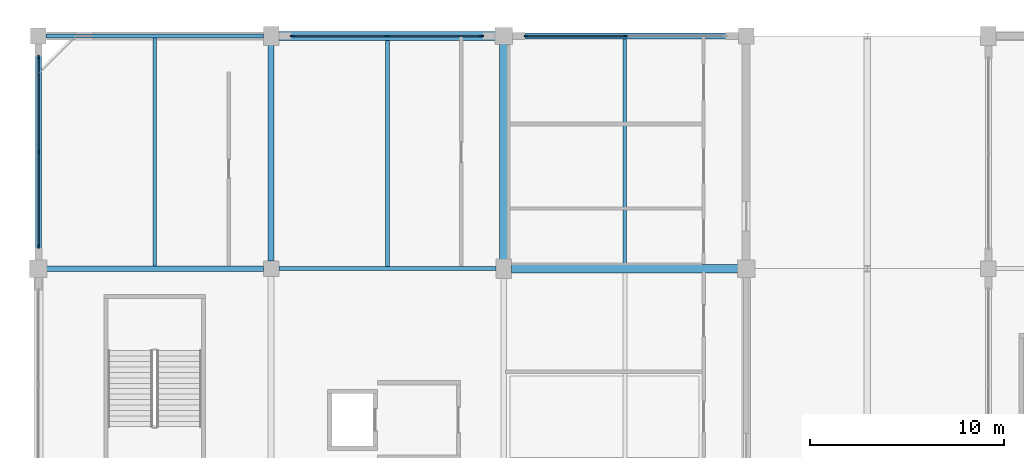
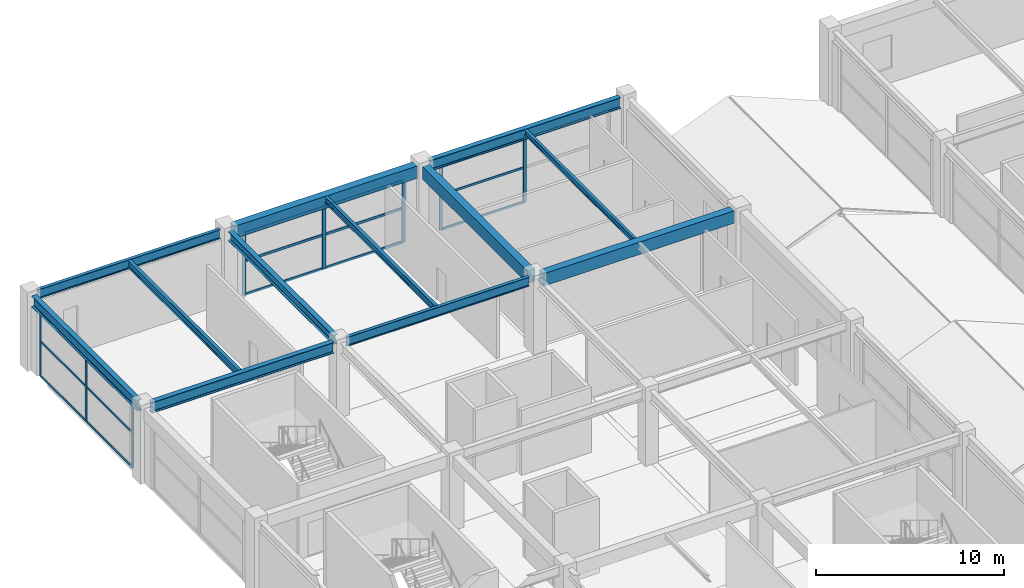
# One storey, part 46 of 116: 23 members, 12 beams, 3 elements without a shape of their own.
"""IFC4 building model written with IfcOpenShell, lengths in metres."""

from ifc_helpers import new_model, si_unit, direction, frame, origin, origin_2d, place, context, subcontext, project, spatial, rectangle, i_section, extrude, material, layer, layer_set, material_profile, profile_set, type_object, element, aggregate, save


model = new_model("IFC4")

# Units and contexts
model_context = context("Model", 3, precision=1e-05, world=origin(), true_north=direction((0.0, 1.0)))
body_context = subcontext(model_context, "Body", "Model", "MODEL_VIEW")
ifc_project = project(units=[si_unit("LENGTHUNIT", "METRE"), si_unit("AREAUNIT", "SQUARE_METRE"), si_unit("VOLUMEUNIT", "CUBIC_METRE"), si_unit("PLANEANGLEUNIT", "RADIAN"), si_unit("MASSUNIT", "GRAM", prefix="KILO")], contexts=[model_context])

# Site, building, storey
site_placement = place(None, origin())
site = spatial("IfcSite", under=ifc_project, at=site_placement, CompositionType="ELEMENT")
building_placement = place(site_placement, origin())
building = spatial("IfcBuilding", under=site, at=building_placement, Name="Kazenohara Klinker Stadium", CompositionType="ELEMENT")
storey_placement = place(building_placement, frame((0.0, 0.0, 10.199951171875)))
storey = spatial("IfcBuildingStorey", under=building, at=storey_placement, Name="L02", CompositionType="ELEMENT", Elevation=10.199951171875)

# Beams
ifc_material_1 = material(Name="Steel S355", Category="steel")
ifc_material_profile_1 = material_profile(ifc_material_1, i_section(OverallWidth=0.199951171875, OverallDepth=0.449951171875, WebThickness=0.009033203125, FlangeThickness=0.013916015625, FilletRadius=0.012939453125, at=origin_2d()), Name="H-450x200x9x14")
ifc_profile_set_1 = profile_set([ifc_material_profile_1], Name="Steel S355")
beam_type_1 = type_object("IfcBeamType", Name="BM-JST02", PredefinedType="JOIST", material=ifc_profile_set_1)
beam_1_placement = place(storey_placement, frame((6.0, 156.14990234375, 4.594970703125), z_axis=(0.0, 1.0, 0.0), x_axis=(-1.0, 0.0, 0.0)))
element("IfcBeam", 1, at=beam_1_placement, inside=storey, type_object=beam_type_1, Name="Secondary floor joist SJ02 L02 1/P", PredefinedType="JOIST", context=body_context, shape_type="SweptSolid", body=[
    extrude(i_section(OverallWidth=0.199951171875, OverallDepth=0.449951171875, WebThickness=0.009033203125, FlangeThickness=0.013916015625, FilletRadius=0.012939453125, at=origin_2d()), origin(), (0.0, 0.0, 1.0), 11.75),
])
ifc_material_profile_2 = material_profile(ifc_material_1, i_section(OverallWidth=0.199951171875, OverallDepth=0.39990234375, WebThickness=0.008056640625, FlangeThickness=0.012939453125, FilletRadius=0.012939453125, at=origin_2d()), Name="H-400x200x8x13")
ifc_profile_set_2 = profile_set([ifc_material_profile_2], Name="Steel S355")
beam_type_2 = type_object("IfcBeamType", Name="BM-JST03", PredefinedType="JOIST", material=ifc_profile_set_2)
beam_2_placement = place(storey_placement, frame((18.0, 156.10009765625, 4.6201171875), z_axis=(0.0, 1.0, 0.0), x_axis=(-1.0, 0.0, 0.0)))
element("IfcBeam", 2, at=beam_2_placement, inside=storey, type_object=beam_type_2, Name="Secondary floor joist SJ03 L02 2/P", PredefinedType="JOIST", context=body_context, shape_type="SweptSolid", body=[
    extrude(i_section(OverallWidth=0.199951171875, OverallDepth=0.39990234375, WebThickness=0.008056640625, FlangeThickness=0.012939453125, FilletRadius=0.012939453125, at=origin_2d()), origin(), (0.0, 0.0, 1.0), 11.6748046875),
])
ifc_material_profile_3 = material_profile(ifc_material_1, i_section(OverallWidth=0.175048828125, OverallDepth=0.35009765625, WebThickness=0.007080078125, FlangeThickness=0.010986328125, FilletRadius=0.012939453125, at=origin_2d()), Name="H-350x175x7x11")
ifc_profile_set_3 = profile_set([ifc_material_profile_3], Name="Steel S355")
beam_type_3 = type_object("IfcBeamType", Name="BM-JST04", PredefinedType="JOIST", material=ifc_profile_set_3)
beam_3_placement = place(storey_placement, frame((30.25, 156.22509765625, 4.64501953125), z_axis=(0.0, 1.0, 0.0), x_axis=(-1.0, 0.0, 0.0)))
element("IfcBeam", 3, at=beam_3_placement, inside=storey, type_object=beam_type_3, Name="Secondary floor joist SJ04 L02 3/P", PredefinedType="JOIST", context=body_context, shape_type="SweptSolid", body=[
    extrude(i_section(OverallWidth=0.175048828125, OverallDepth=0.35009765625, WebThickness=0.007080078125, FlangeThickness=0.010986328125, FilletRadius=0.012939453125, at=origin_2d()), origin(), (0.0, 0.0, 1.0), 11.625),
])
ifc_material_2 = material(Name="Concrete C40/50", Category="concrete")
ifc_material_profile_4 = material_profile(ifc_material_2, rectangle(XDim=0.449951171875, YDim=0.800048828125, at=origin_2d()), Name="RC-BM-450x800")
ifc_profile_set_4 = profile_set([ifc_material_profile_4], Name="Concrete C40/50")
beam_type_4 = type_object("IfcBeamType", Name="BM-RC03", PredefinedType="BEAM", material=ifc_profile_set_4)
beam_4_placement = place(storey_placement, frame((12.39990234375, 168.0, 4.420166015625), z_axis=(1.0, 0.0, 0.0), x_axis=(0.0, 1.0, 0.0)))
element("IfcBeam", 4, at=beam_4_placement, inside=storey, type_object=beam_type_4, Name="Primary girder BG03 L02 2-3/Q", PredefinedType="BEAM", context=body_context, shape_type="SweptSolid", body=[
    extrude(rectangle(XDim=0.449951171875, YDim=0.800048828125, at=origin_2d()), origin(), (0.0, 0.0, 1.0), 11.18017578125),
])
beam_5_placement = place(storey_placement, frame((24.39990234375, 156.0, 4.420166015625), z_axis=(1.0, 0.0, 0.0), x_axis=(0.0, 1.0, 0.0)))
element("IfcBeam", 5, at=beam_5_placement, inside=storey, type_object=beam_type_4, Name="Primary girder BG03 L02 3-4/P", PredefinedType="BEAM", context=body_context, shape_type="SweptSolid", body=[
    extrude(rectangle(XDim=0.449951171875, YDim=0.800048828125, at=origin_2d()), origin(), (0.0, 0.0, 1.0), 11.68017578125),
])
beam_6_placement = place(storey_placement, frame((24.0, 156.419921875, 4.420166015625), z_axis=(0.0, 1.0, 0.0), x_axis=(-1.0, 0.0, 0.0)))
element("IfcBeam", 6, at=beam_6_placement, inside=storey, type_object=beam_type_4, Name="Primary girder BG03 L02 3/P-Q", PredefinedType="BEAM", context=body_context, shape_type="SweptSolid", body=[
    extrude(rectangle(XDim=0.449951171875, YDim=0.800048828125, at=origin_2d()), origin(), (0.0, 0.0, 1.0), 11.16015625),
])
ifc_material_profile_5 = material_profile(ifc_material_1, i_section(OverallWidth=0.300048828125, OverallDepth=0.699951171875, WebThickness=0.012939453125, FlangeThickness=0.02392578125, FilletRadius=0.02197265625, at=origin_2d()), Name="H-700x300x13x24")
ifc_profile_set_5 = profile_set([ifc_material_profile_5], Name="Steel S355")
beam_type_5 = type_object("IfcBeamType", Name="BM-ST03", PredefinedType="BEAM", material=ifc_profile_set_5)
beam_7_placement = place(storey_placement, frame((0.419921875, 156.0, 4.469970703125), z_axis=(1.0, 0.0, 0.0), x_axis=(0.0, 1.0, 0.0)))
element("IfcBeam", 7, at=beam_7_placement, inside=storey, type_object=beam_type_5, Name="Primary girder SB03 L02 1-2/P", PredefinedType="BEAM", context=body_context, shape_type="SweptSolid", body=[
    extrude(i_section(OverallWidth=0.300048828125, OverallDepth=0.699951171875, WebThickness=0.012939453125, FlangeThickness=0.02392578125, FilletRadius=0.02197265625, at=origin_2d()), origin(), (0.0, 0.0, 1.0), 11.18017578125),
])
beam_8_placement = place(storey_placement, frame((24.419921875, 168.0, 4.469970703125), z_axis=(1.0, 0.0, 0.0), x_axis=(0.0, 1.0, 0.0)))
element("IfcBeam", 8, at=beam_8_placement, inside=storey, type_object=beam_type_5, Name="Primary girder SB03 L02 3-4/Q", PredefinedType="BEAM", context=body_context, shape_type="SweptSolid", body=[
    extrude(i_section(OverallWidth=0.300048828125, OverallDepth=0.699951171875, WebThickness=0.012939453125, FlangeThickness=0.02392578125, FilletRadius=0.02197265625, at=origin_2d()), origin(), (0.0, 0.0, 1.0), 11.68017578125),
])
beam_9_placement = place(storey_placement, frame((0.0, 156.419921875, 4.469970703125), z_axis=(0.0, 1.0, 0.0), x_axis=(-1.0, 0.0, 0.0)))
element("IfcBeam", 9, at=beam_9_placement, inside=storey, type_object=beam_type_5, Name="Primary girder SB03 L02 1/P-Q", PredefinedType="BEAM", context=body_context, shape_type="SweptSolid", body=[
    extrude(i_section(OverallWidth=0.300048828125, OverallDepth=0.699951171875, WebThickness=0.012939453125, FlangeThickness=0.02392578125, FilletRadius=0.02197265625, at=origin_2d()), origin(), (0.0, 0.0, 1.0), 11.18017578125),
])
ifc_material_profile_6 = material_profile(ifc_material_1, i_section(OverallWidth=0.199951171875, OverallDepth=0.60009765625, WebThickness=0.010986328125, FlangeThickness=0.01708984375, FilletRadius=0.012939453125, at=origin_2d()), Name="H-600x200x11x17")
ifc_profile_set_6 = profile_set([ifc_material_profile_6], Name="Steel S355")
beam_type_6 = type_object("IfcBeamType", Name="BM-ST04", PredefinedType="BEAM", material=ifc_profile_set_6)
for number, where, z_axis, x_axis, name in (
    (10, (0.39990234375, 168.0, 4.52001953125), (1.0, 0.0, 0.0), (0.0, 1.0, 0.0), "Primary girder SB04 L02 1-2/Q"),
    (11, (12.39990234375, 156.0, 4.52001953125), (1.0, 0.0, 0.0), (0.0, 1.0, 0.0), "Primary girder SB04 L02 2-3/P"),
):
    element("IfcBeam", number, at=place(storey_placement, frame(where, z_axis=z_axis, x_axis=x_axis)), inside=storey, type_object=beam_type_6, Name=name, PredefinedType="BEAM", context=body_context, shape_type="SweptSolid", body=[
        extrude(i_section(OverallWidth=0.199951171875, OverallDepth=0.60009765625, WebThickness=0.010986328125, FlangeThickness=0.01708984375, FilletRadius=0.012939453125, at=origin_2d()), origin(), (0.0, 0.0, 1.0), 11.2001953125),
    ])
ifc_material_profile_7 = material_profile(ifc_material_1, i_section(OverallWidth=0.300048828125, OverallDepth=0.587890625, WebThickness=0.011962890625, FlangeThickness=0.02001953125, FilletRadius=0.02197265625, at=origin_2d()), Name="H-588x300x12x20")
ifc_profile_set_7 = profile_set([ifc_material_profile_7], Name="Steel S355")
beam_type_7 = type_object("IfcBeamType", Name="BM-ST05", PredefinedType="BEAM", material=ifc_profile_set_7)
beam_10_placement = place(storey_placement, frame((12.0, 156.39990234375, 4.526123046875), z_axis=(0.0, 1.0, 0.0), x_axis=(-1.0, 0.0, 0.0)))
element("IfcBeam", 12, at=beam_10_placement, inside=storey, type_object=beam_type_7, Name="Primary girder SB05 L02 2/P-Q", PredefinedType="BEAM", context=body_context, shape_type="SweptSolid", body=[
    extrude(i_section(OverallWidth=0.300048828125, OverallDepth=0.587890625, WebThickness=0.011962890625, FlangeThickness=0.02001953125, FilletRadius=0.02197265625, at=origin_2d()), origin(), (0.0, 0.0, 1.0), 11.18017578125),
])

# Curtain wall, members
ifc_material_3 = material(Name="Anodised aluminium and triple glazing", Category="aluminium")
ifc_layer_1 = layer(ifc_material_3, 0.199951171875)
ifc_layer_set_1 = layer_set([ifc_layer_1], Name="Anodised aluminium and triple glazing")
curtain_wall_type_1 = type_object("IfcCurtainWallType", Name="CW-SYS-03", PredefinedType="USERDEFINED", material=ifc_layer_set_1)
curtain_wall_1_placement = place(storey_placement, origin())
curtain_wall_1 = element("IfcCurtainWall", 13, at=curtain_wall_1_placement, inside=storey, type_object=curtain_wall_type_1, Name="Unitised facade curtain wall CW03 L02 Y0-13", ObjectType="UNITISED CURTAIN WALL", PredefinedType="USERDEFINED")
ifc_material_4 = material(Name="Anodised aluminium 6063-T6", Category="aluminium")
ifc_material_profile_8 = material_profile(ifc_material_4, rectangle(XDim=0.06494140625, YDim=0.179931640625, at=origin_2d()), Name="ALU-MUL-65x180")
ifc_profile_set_8 = profile_set([ifc_material_profile_8], Name="Anodised aluminium 6063-T6")
member_type_1 = type_object("IfcMemberType", Name="CW-MUL-180", PredefinedType="MULLION", material=ifc_profile_set_8)
member_1_placement = place(storey_placement, frame((0.0, 157.136474609375, 0.0), z_axis=(0.0, 0.0, 1.0), x_axis=(-1.0, 0.0, 0.0)))
member_1 = element("IfcMember", 14, at=member_1_placement, type_object=member_type_1, Name="CW03 mullion 1", PredefinedType="MULLION", context=body_context, shape_type="SweptSolid", body=[
    extrude(rectangle(XDim=0.06494140625, YDim=0.179931640625, at=origin_2d()), origin(), (0.0, 0.0, 1.0), 4.1201171875),
])
member_2_placement = place(storey_placement, frame((0.0, 162.02490234375, 0.0), z_axis=(0.0, 0.0, 1.0), x_axis=(-1.0, 0.0, 0.0)))
member_2 = element("IfcMember", 15, at=member_2_placement, type_object=member_type_1, Name="CW03 mullion 2", PredefinedType="MULLION", context=body_context, shape_type="SweptSolid", body=[
    extrude(rectangle(XDim=0.06494140625, YDim=0.179931640625, at=origin_2d()), origin(), (0.0, 0.0, 1.0), 4.1201171875),
])
member_3_placement = place(storey_placement, frame((0.0, 166.91357421875, 0.0), z_axis=(0.0, 0.0, 1.0), x_axis=(-1.0, 0.0, 0.0)))
member_3 = element("IfcMember", 16, at=member_3_placement, type_object=member_type_1, Name="CW03 mullion 3", PredefinedType="MULLION", context=body_context, shape_type="SweptSolid", body=[
    extrude(rectangle(XDim=0.06494140625, YDim=0.179931640625, at=origin_2d()), origin(), (0.0, 0.0, 1.0), 4.1201171875),
])

ifc_layer_2 = layer(ifc_material_3, 0.159912109375)
ifc_layer_set_2 = layer_set([ifc_layer_2], Name="Anodised aluminium and triple glazing")
curtain_wall_type_2 = type_object("IfcCurtainWallType", Name="CW-SYS-01", PredefinedType="USERDEFINED", material=ifc_layer_set_2)
curtain_wall_2_placement = place(storey_placement, origin())
curtain_wall_2 = element("IfcCurtainWall", 17, at=curtain_wall_2_placement, inside=storey, type_object=curtain_wall_type_2, Name="Unitised facade curtain wall CW01 L02 X2-14", ObjectType="UNITISED CURTAIN WALL", PredefinedType="USERDEFINED")
member_4_placement = place(storey_placement, frame((25.136474609375, 168.0, 0.0), z_axis=(0.0, 0.0, 1.0), x_axis=(0.0, 1.0, 0.0)))
member_4 = element("IfcMember", 18, at=member_4_placement, type_object=member_type_1, Name="CW01 mullion 1", PredefinedType="MULLION", context=body_context, shape_type="SweptSolid", body=[
    extrude(rectangle(XDim=0.06494140625, YDim=0.179931640625, at=origin_2d()), origin(), (0.0, 0.0, 1.0), 4.1201171875),
])
member_5_placement = place(storey_placement, frame((30.27490234375, 168.0, 0.0), z_axis=(0.0, 0.0, 1.0), x_axis=(0.0, 1.0, 0.0)))
member_5 = element("IfcMember", 19, at=member_5_placement, type_object=member_type_1, Name="CW01 mullion 2", PredefinedType="MULLION", context=body_context, shape_type="SweptSolid", body=[
    extrude(rectangle(XDim=0.06494140625, YDim=0.179931640625, at=origin_2d()), origin(), (0.0, 0.0, 1.0), 4.1201171875),
])

ifc_layer_3 = layer(ifc_material_3, 0.169921875)
ifc_layer_set_3 = layer_set([ifc_layer_3], Name="Anodised aluminium and triple glazing")
curtain_wall_type_3 = type_object("IfcCurtainWallType", Name="CW-SYS-04", PredefinedType="USERDEFINED", material=ifc_layer_set_3)
curtain_wall_3_placement = place(storey_placement, origin())
curtain_wall_3 = element("IfcCurtainWall", 20, at=curtain_wall_3_placement, inside=storey, type_object=curtain_wall_type_3, Name="Unitised facade curtain wall CW04 L02 X1-14", ObjectType="UNITISED CURTAIN WALL", PredefinedType="USERDEFINED")
ifc_material_profile_9 = material_profile(ifc_material_4, rectangle(XDim=0.074951171875, YDim=0.219970703125, at=origin_2d()), Name="ALU-MUL-75x220")
ifc_profile_set_9 = profile_set([ifc_material_profile_9], Name="Anodised aluminium 6063-T6")
member_type_2 = type_object("IfcMemberType", Name="CW-MUL-220", PredefinedType="MULLION", material=ifc_profile_set_9)
member_6_placement = place(storey_placement, frame((13.091552734375, 168.0, 0.0), z_axis=(0.0, 0.0, 1.0), x_axis=(0.0, 1.0, 0.0)))
member_6 = element("IfcMember", 21, at=member_6_placement, type_object=member_type_2, Name="CW04 mullion 1", PredefinedType="MULLION", context=body_context, shape_type="SweptSolid", body=[
    extrude(rectangle(XDim=0.074951171875, YDim=0.219970703125, at=origin_2d()), origin(), (0.0, 0.0, 1.0), 4.02001953125),
])
member_7_placement = place(storey_placement, frame((17.97509765625, 168.0, 0.0), z_axis=(0.0, 0.0, 1.0), x_axis=(0.0, 1.0, 0.0)))
member_7 = element("IfcMember", 22, at=member_7_placement, type_object=member_type_2, Name="CW04 mullion 2", PredefinedType="MULLION", context=body_context, shape_type="SweptSolid", body=[
    extrude(rectangle(XDim=0.074951171875, YDim=0.219970703125, at=origin_2d()), origin(), (0.0, 0.0, 1.0), 4.02001953125),
])
member_8_placement = place(storey_placement, frame((22.8583984375, 168.0, 0.0), z_axis=(0.0, 0.0, 1.0), x_axis=(0.0, 1.0, 0.0)))
member_8 = element("IfcMember", 23, at=member_8_placement, type_object=member_type_2, Name="CW04 mullion 3", PredefinedType="MULLION", context=body_context, shape_type="SweptSolid", body=[
    extrude(rectangle(XDim=0.074951171875, YDim=0.219970703125, at=origin_2d()), origin(), (0.0, 0.0, 1.0), 4.02001953125),
])

# Member
ifc_material_profile_10 = material_profile(ifc_material_4, rectangle(XDim=0.06494140625, YDim=0.139892578125, at=origin_2d()), Name="ALU-TRN-65x140")
ifc_profile_set_10 = profile_set([ifc_material_profile_10], Name="Anodised aluminium 6063-T6")
member_type_3 = type_object("IfcMemberType", Name="CW-TRN-140", PredefinedType="USERDEFINED", material=ifc_profile_set_10)
member_9_placement = place(storey_placement, frame((0.0, 157.1689453125, 0.032470703125), z_axis=(0.0, 1.0, 0.0), x_axis=(-1.0, 0.0, 0.0)))
member_9 = element("IfcMember", 24, at=member_9_placement, type_object=member_type_3, Name="CW03 transom 1.1", ObjectType="TRANSOM", PredefinedType="USERDEFINED", context=body_context, shape_type="SweptSolid", body=[
    extrude(rectangle(XDim=0.06494140625, YDim=0.139892578125, at=origin_2d()), origin(), (0.0, 0.0, 1.0), 4.823486328125),
])

member_10_placement = place(storey_placement, frame((0.0, 157.1689453125, 2.26611328125), z_axis=(0.0, 1.0, 0.0), x_axis=(-1.0, 0.0, 0.0)))
member_10 = element("IfcMember", 25, at=member_10_placement, type_object=member_type_3, Name="CW03 transom 1.2", ObjectType="TRANSOM", PredefinedType="USERDEFINED", context=body_context, shape_type="SweptSolid", body=[
    extrude(rectangle(XDim=0.06494140625, YDim=0.139892578125, at=origin_2d()), origin(), (0.0, 0.0, 1.0), 4.823486328125),
])

member_11_placement = place(storey_placement, frame((0.0, 157.1689453125, 4.087646484375), z_axis=(0.0, 1.0, 0.0), x_axis=(-1.0, 0.0, 0.0)))
member_11 = element("IfcMember", 26, at=member_11_placement, type_object=member_type_3, Name="CW03 transom 1.3", ObjectType="TRANSOM", PredefinedType="USERDEFINED", context=body_context, shape_type="SweptSolid", body=[
    extrude(rectangle(XDim=0.06494140625, YDim=0.139892578125, at=origin_2d()), origin(), (0.0, 0.0, 1.0), 4.823486328125),
])

member_12_placement = place(storey_placement, frame((0.0, 162.0576171875, 0.032470703125), z_axis=(0.0, 1.0, 0.0), x_axis=(-1.0, 0.0, 0.0)))
member_12 = element("IfcMember", 27, at=member_12_placement, type_object=member_type_3, Name="CW03 transom 2.1", ObjectType="TRANSOM", PredefinedType="USERDEFINED", context=body_context, shape_type="SweptSolid", body=[
    extrude(rectangle(XDim=0.06494140625, YDim=0.139892578125, at=origin_2d()), origin(), (0.0, 0.0, 1.0), 4.823486328125),
])

member_13_placement = place(storey_placement, frame((0.0, 162.0576171875, 2.26611328125), z_axis=(0.0, 1.0, 0.0), x_axis=(-1.0, 0.0, 0.0)))
member_13 = element("IfcMember", 28, at=member_13_placement, type_object=member_type_3, Name="CW03 transom 2.2", ObjectType="TRANSOM", PredefinedType="USERDEFINED", context=body_context, shape_type="SweptSolid", body=[
    extrude(rectangle(XDim=0.06494140625, YDim=0.139892578125, at=origin_2d()), origin(), (0.0, 0.0, 1.0), 4.823486328125),
])

member_14_placement = place(storey_placement, frame((0.0, 162.0576171875, 4.087646484375), z_axis=(0.0, 1.0, 0.0), x_axis=(-1.0, 0.0, 0.0)))
member_14 = element("IfcMember", 29, at=member_14_placement, type_object=member_type_3, Name="CW03 transom 2.3", ObjectType="TRANSOM", PredefinedType="USERDEFINED", context=body_context, shape_type="SweptSolid", body=[
    extrude(rectangle(XDim=0.06494140625, YDim=0.139892578125, at=origin_2d()), origin(), (0.0, 0.0, 1.0), 4.823486328125),
])

aggregate(curtain_wall_1, [member_1, member_2, member_3, member_9, member_10, member_11, member_12, member_13, member_14])

member_15_placement = place(storey_placement, frame((25.1689453125, 168.0, 0.032470703125), z_axis=(1.0, 0.0, 0.0), x_axis=(0.0, 1.0, 0.0)))
member_15 = element("IfcMember", 30, at=member_15_placement, type_object=member_type_3, Name="CW01 transom 1.1", ObjectType="TRANSOM", PredefinedType="USERDEFINED", context=body_context, shape_type="SweptSolid", body=[
    extrude(rectangle(XDim=0.06494140625, YDim=0.139892578125, at=origin_2d()), origin(), (0.0, 0.0, 1.0), 5.073486328125),
])

member_16_placement = place(storey_placement, frame((25.1689453125, 168.0, 2.26611328125), z_axis=(1.0, 0.0, 0.0), x_axis=(0.0, 1.0, 0.0)))
member_16 = element("IfcMember", 31, at=member_16_placement, type_object=member_type_3, Name="CW01 transom 1.2", ObjectType="TRANSOM", PredefinedType="USERDEFINED", context=body_context, shape_type="SweptSolid", body=[
    extrude(rectangle(XDim=0.06494140625, YDim=0.139892578125, at=origin_2d()), origin(), (0.0, 0.0, 1.0), 5.073486328125),
])

member_17_placement = place(storey_placement, frame((25.1689453125, 168.0, 4.087646484375), z_axis=(1.0, 0.0, 0.0), x_axis=(0.0, 1.0, 0.0)))
member_17 = element("IfcMember", 32, at=member_17_placement, type_object=member_type_3, Name="CW01 transom 1.3", ObjectType="TRANSOM", PredefinedType="USERDEFINED", context=body_context, shape_type="SweptSolid", body=[
    extrude(rectangle(XDim=0.06494140625, YDim=0.139892578125, at=origin_2d()), origin(), (0.0, 0.0, 1.0), 5.073486328125),
])

aggregate(curtain_wall_2, [member_4, member_5, member_15, member_16, member_17])

ifc_material_profile_11 = material_profile(ifc_material_4, rectangle(XDim=0.074951171875, YDim=0.159912109375, at=origin_2d()), Name="ALU-TRN-75x160")
ifc_profile_set_11 = profile_set([ifc_material_profile_11], Name="Anodised aluminium 6063-T6")
member_type_4 = type_object("IfcMemberType", Name="CW-TRN-160", PredefinedType="USERDEFINED", material=ifc_profile_set_11)
member_18_placement = place(storey_placement, frame((13.12890625, 168.0, 0.03759765625), z_axis=(1.0, 0.0, 0.0), x_axis=(0.0, 1.0, 0.0)))
member_18 = element("IfcMember", 33, at=member_18_placement, type_object=member_type_4, Name="CW04 transom 1.1", ObjectType="TRANSOM", PredefinedType="USERDEFINED", context=body_context, shape_type="SweptSolid", body=[
    extrude(rectangle(XDim=0.074951171875, YDim=0.159912109375, at=origin_2d()), origin(), (0.0, 0.0, 1.0), 4.80859375),
])

member_19_placement = place(storey_placement, frame((13.12890625, 168.0, 2.2109375), z_axis=(1.0, 0.0, 0.0), x_axis=(0.0, 1.0, 0.0)))
member_19 = element("IfcMember", 34, at=member_19_placement, type_object=member_type_4, Name="CW04 transom 1.2", ObjectType="TRANSOM", PredefinedType="USERDEFINED", context=body_context, shape_type="SweptSolid", body=[
    extrude(rectangle(XDim=0.074951171875, YDim=0.159912109375, at=origin_2d()), origin(), (0.0, 0.0, 1.0), 4.80859375),
])

member_20_placement = place(storey_placement, frame((13.12890625, 168.0, 3.982666015625), z_axis=(1.0, 0.0, 0.0), x_axis=(0.0, 1.0, 0.0)))
member_20 = element("IfcMember", 35, at=member_20_placement, type_object=member_type_4, Name="CW04 transom 1.3", ObjectType="TRANSOM", PredefinedType="USERDEFINED", context=body_context, shape_type="SweptSolid", body=[
    extrude(rectangle(XDim=0.074951171875, YDim=0.159912109375, at=origin_2d()), origin(), (0.0, 0.0, 1.0), 4.80859375),
])

member_21_placement = place(storey_placement, frame((18.012451171875, 168.0, 0.03759765625), z_axis=(1.0, 0.0, 0.0), x_axis=(0.0, 1.0, 0.0)))
member_21 = element("IfcMember", 36, at=member_21_placement, type_object=member_type_4, Name="CW04 transom 2.1", ObjectType="TRANSOM", PredefinedType="USERDEFINED", context=body_context, shape_type="SweptSolid", body=[
    extrude(rectangle(XDim=0.074951171875, YDim=0.159912109375, at=origin_2d()), origin(), (0.0, 0.0, 1.0), 4.80859375),
])

member_22_placement = place(storey_placement, frame((18.012451171875, 168.0, 2.2109375), z_axis=(1.0, 0.0, 0.0), x_axis=(0.0, 1.0, 0.0)))
member_22 = element("IfcMember", 37, at=member_22_placement, type_object=member_type_4, Name="CW04 transom 2.2", ObjectType="TRANSOM", PredefinedType="USERDEFINED", context=body_context, shape_type="SweptSolid", body=[
    extrude(rectangle(XDim=0.074951171875, YDim=0.159912109375, at=origin_2d()), origin(), (0.0, 0.0, 1.0), 4.80859375),
])

member_23_placement = place(storey_placement, frame((18.012451171875, 168.0, 3.982666015625), z_axis=(1.0, 0.0, 0.0), x_axis=(0.0, 1.0, 0.0)))
member_23 = element("IfcMember", 38, at=member_23_placement, type_object=member_type_4, Name="CW04 transom 2.3", ObjectType="TRANSOM", PredefinedType="USERDEFINED", context=body_context, shape_type="SweptSolid", body=[
    extrude(rectangle(XDim=0.074951171875, YDim=0.159912109375, at=origin_2d()), origin(), (0.0, 0.0, 1.0), 4.80859375),
])

aggregate(curtain_wall_3, [member_6, member_7, member_8, member_18, member_19, member_20, member_21, member_22, member_23])

save(model, "model.ifc")
